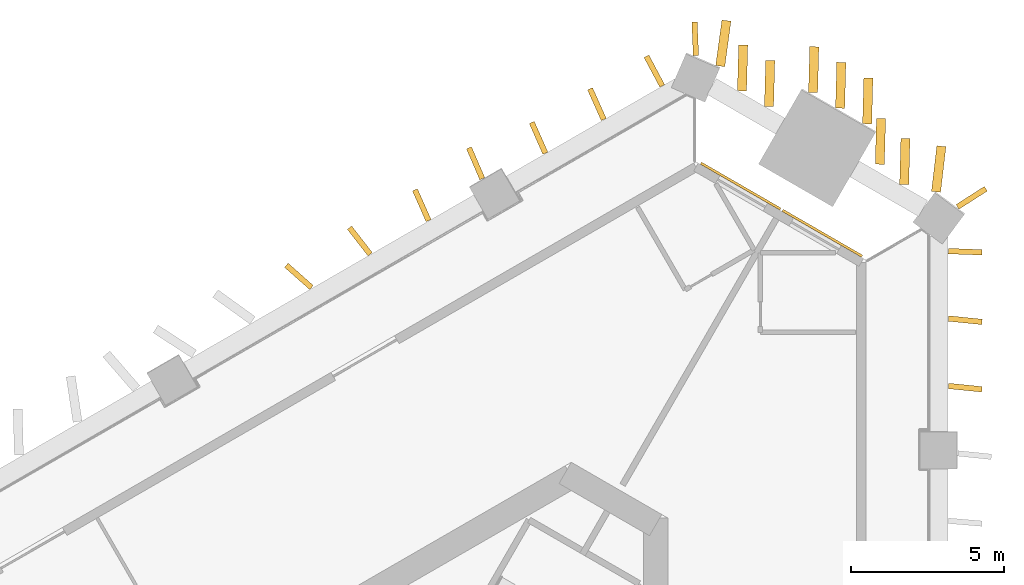
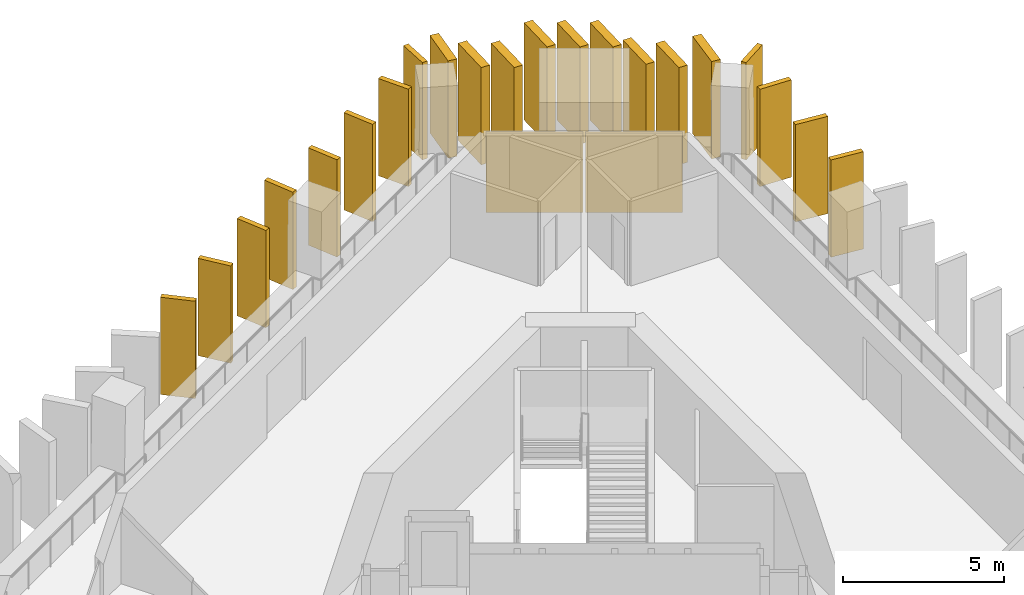
# One storey, part 10 of 10: 21 shading devices, 2 coverings.
"""IFC4 building model written with IfcOpenShell, lengths in metres."""

from ifc_helpers import new_model, si_unit, direction, frame, frame_2d, origin, origin_2d, place, context, subcontext, project, spatial, rectangle, extrude, material, layer, layer_set, type_object, element, save


model = new_model("IFC4")

# Units and contexts
model_context = context("Model", 3, precision=1e-05, world=origin(), true_north=direction((0.0, 1.0)))
body_context = subcontext(model_context, "Body", "Model", "MODEL_VIEW")
ifc_project = project(units=[si_unit("LENGTHUNIT", "METRE"), si_unit("AREAUNIT", "SQUARE_METRE"), si_unit("VOLUMEUNIT", "CUBIC_METRE"), si_unit("PLANEANGLEUNIT", "RADIAN"), si_unit("MASSUNIT", "GRAM", prefix="KILO")], contexts=[model_context])

# Site, building, storey
site_placement = place(None, origin())
site = spatial("IfcSite", under=ifc_project, at=site_placement, CompositionType="ELEMENT")
building_placement = place(site_placement, origin())
building = spatial("IfcBuilding", under=site, at=building_placement, Name="Jabali Bay Hotel Tower and Convention Centre", CompositionType="ELEMENT")
storey_placement = place(building_placement, frame((0.0, 0.0, 44.800048828125)))
storey = spatial("IfcBuildingStorey", under=building, at=storey_placement, Name="L09", CompositionType="ELEMENT", Elevation=44.800048828125)

# Shading devices
ifc_material_1 = material(Name="Precast concrete C60", Category="concrete")
ifc_layer_1 = layer(ifc_material_1, 0.179931640625)
ifc_layer_set_1 = layer_set([ifc_layer_1], Name="Precast concrete C60")
shading_device_type_1 = type_object("IfcShadingDeviceType", Name="Precast fin 3680 x 1100", PredefinedType="USERDEFINED", material=ifc_layer_set_1)
shading_device_1_placement = place(storey_placement, frame((99.052734375, 106.445556640625, 0.010009765625), z_axis=(0.0, 0.0, 1.0), x_axis=(0.994908900726, -0.100778367008, 0.0)))
element("IfcShadingDevice", 1, at=shading_device_1_placement, inside=storey, type_object=shading_device_type_1, Name="Fin L09 026", ObjectType="FIN", PredefinedType="USERDEFINED", context=body_context, shape_type="SweptSolid", body=[
    extrude(rectangle(XDim=1.099853515625, YDim=0.179931640625, at=frame_2d((0.5498046875, 0.0))), origin(), (0.0, 0.0, 1.0), 3.679931640625),
])
for number, where, z_axis, x_axis, name in (
    (2, (99.052734375, 108.6494140625, 0.010009765625), (0.0, 0.0, 1.0), (0.994955553407, -0.10031673213, 0.0), "Fin L09 027"),
    (3, (99.046875, 110.85302734375, 0.010009765625), (0.0, 0.0, 1.0), (0.999329348443, -0.036617664333, 0.0), "Fin L09 028"),
):
    element("IfcShadingDevice", number, at=place(storey_placement, frame(where, z_axis=z_axis, x_axis=x_axis)), inside=storey, type_object=shading_device_type_1, Name=name, ObjectType="FIN", PredefinedType="USERDEFINED", context=body_context, shape_type="SweptSolid", body=[
        extrude(rectangle(XDim=1.10009765625, YDim=0.179931640625, at=frame_2d((0.550048828125, 0.0))), origin(), (0.0, 0.0, 1.0), 3.679931640625),
    ])
shading_device_2_placement = place(storey_placement, frame((89.6962890625, 116.251708984375, 0.010009765625), z_axis=(0.0, 0.0, 1.0), x_axis=(-0.469885346658, 0.882727455672, 0.0)))
element("IfcShadingDevice", 4, at=shading_device_2_placement, inside=storey, type_object=shading_device_type_1, Name="Fin L09 038", ObjectType="FIN", PredefinedType="USERDEFINED", context=body_context, shape_type="SweptSolid", body=[
    extrude(rectangle(XDim=1.099853515625, YDim=0.179931640625, at=frame_2d((0.5498046875, 0.0))), origin(), (0.0, 0.0, 1.0), 3.679931640625),
])
for number, where, z_axis, x_axis, name in (
    (5, (87.78466796875, 115.155029296875, 0.010009765625), (0.0, 0.0, 1.0), (-0.408361193609, 0.912820428975, 0.0), "Fin L09 039"),
    (6, (85.8759765625, 114.053466796875, 0.010009765625), (0.0, 0.0, 1.0), (-0.404552415447, 0.914514812978, 0.0), "Fin L09 040"),
    (7, (83.813232421875, 113.21875, 0.010009765625), (0.0, 0.0, 1.0), (-0.394615629049, 0.918846290361, 0.0), "Fin L09 041"),
    (8, (82.058837890625, 111.849609375, 0.010009765625), (0.0, 0.0, 1.0), (-0.405273381202, 0.91419554062, 0.0), "Fin L09 042"),
    (9, (80.14892578125, 110.75, 0.010009765625), (0.0, 0.0, 1.0), (-0.613233558476, 0.789901641193, 0.0), "Fin L09 043"),
):
    element("IfcShadingDevice", number, at=place(storey_placement, frame(where, z_axis=z_axis, x_axis=x_axis)), inside=storey, type_object=shading_device_type_1, Name=name, ObjectType="FIN", PredefinedType="USERDEFINED", context=body_context, shape_type="SweptSolid", body=[
        extrude(rectangle(XDim=1.10009765625, YDim=0.179931640625, at=frame_2d((0.550048828125, 0.0))), origin(), (0.0, 0.0, 1.0), 3.679931640625),
    ])
shading_device_3_placement = place(storey_placement, frame((78.232177734375, 109.662353515625, 0.010009765625), z_axis=(0.0, 0.0, 1.0), x_axis=(-0.748962665712, 0.662612198325, 0.0)))
element("IfcShadingDevice", 10, at=shading_device_3_placement, inside=storey, type_object=shading_device_type_1, Name="Fin L09 044", ObjectType="FIN", PredefinedType="USERDEFINED", context=body_context, shape_type="SweptSolid", body=[
    extrude(rectangle(XDim=1.099853515625, YDim=0.179931640625, at=frame_2d((0.5498046875, 0.0))), origin(), (0.0, 0.0, 1.0), 3.679931640625),
])
shading_device_4_placement = place(storey_placement, frame((99.34716796875, 112.299072265625, 0.010009765625), z_axis=(0.0, 0.0, 1.0), x_axis=(0.842517194894, 0.538669449949, 0.0)))
element("IfcShadingDevice", 11, at=shading_device_4_placement, inside=storey, type_object=shading_device_type_1, Name="Fin L09 115", ObjectType="FIN", PredefinedType="USERDEFINED", context=body_context, shape_type="SweptSolid", body=[
    extrude(rectangle(XDim=1.10009765625, YDim=0.179931640625, at=frame_2d((0.550048828125, 0.0))), origin(), (0.0, 0.0, 1.0), 3.679931640625),
])
shading_device_5_placement = place(storey_placement, frame((90.79833984375, 117.24267578125, 0.010009765625), z_axis=(0.0, 0.0, 1.0), x_axis=(-0.043283104915, 0.999062847287, 0.0)))
element("IfcShadingDevice", 12, at=shading_device_5_placement, inside=storey, type_object=shading_device_type_1, Name="Fin L09 116", ObjectType="FIN", PredefinedType="USERDEFINED", context=body_context, shape_type="SweptSolid", body=[
    extrude(rectangle(XDim=1.099853515625, YDim=0.179931640625, at=frame_2d((0.5498046875, 0.0))), origin(), (0.0, 0.0, 1.0), 3.679931640625),
])
ifc_layer_2 = layer(ifc_material_1, 0.300048828125)
ifc_layer_set_2 = layer_set([ifc_layer_2], Name="Precast concrete C60")
shading_device_type_2 = type_object("IfcShadingDeviceType", Name="Precast fin 3680 x 1500", PredefinedType="USERDEFINED", material=ifc_layer_set_2)
for number, where, z_axis, x_axis, name in (
    (13, (98.645263671875, 112.7919921875, 0.010009765625), (0.0, 0.0, 1.0), (0.117020664719, 0.993129479992, 0.0), "Fin L09 029"),
    (14, (97.604736328125, 113.030517578125, 0.010009765625), (0.0, 0.0, 1.0), (0.026691886703, 0.99964370812, 0.0), "Fin L09 030"),
    (15, (96.808349609375, 113.691650390625, 0.010009765625), (0.0, 0.0, 1.0), (0.026529246195, 0.999648037609, 0.0), "Fin L09 031"),
    (16, (96.393798828125, 115.01416015625, 0.010009765625), (0.0, 0.0, 1.0), (0.026529246195, 0.999648037609, 0.0), "Fin L09 032"),
    (17, (95.510009765625, 115.5244140625, 0.010009765625), (0.0, 0.0, 1.0), (0.026691886703, 0.99964370812, 0.0), "Fin L09 033"),
    (18, (94.62646484375, 116.03466796875, 0.010009765625), (0.0, 0.0, 1.0), (0.026529246195, 0.999648037609, 0.0), "Fin L09 034"),
    (19, (93.1865234375, 115.58154296875, 0.010009765625), (0.0, 0.0, 1.0), (0.026691886703, 0.99964370812, 0.0), "Fin L09 035"),
):
    element("IfcShadingDevice", number, at=place(storey_placement, frame(where, z_axis=z_axis, x_axis=x_axis)), inside=storey, type_object=shading_device_type_2, Name=name, ObjectType="FIN", PredefinedType="USERDEFINED", context=body_context, shape_type="SweptSolid", body=[
        extrude(rectangle(XDim=1.5, YDim=0.300048828125, at=frame_2d((0.75, 0.0))), origin(), (0.0, 0.0, 1.0), 3.679931640625),
    ])
for number, where, z_axis, x_axis, name in (
    (20, (92.302978515625, 116.091796875, 0.010009765625), (0.0, 0.0, 1.0), (0.026533563174, 0.999647923034, 0.0), "Fin L09 036"),
    (21, (91.591796875, 116.90087890625, 0.010009765625), (0.0, 0.0, 1.0), (0.135265742469, 0.990809355484, 0.0), "Fin L09 037"),
):
    element("IfcShadingDevice", number, at=place(storey_placement, frame(where, z_axis=z_axis, x_axis=x_axis)), inside=storey, type_object=shading_device_type_2, Name=name, ObjectType="FIN", PredefinedType="USERDEFINED", context=body_context, shape_type="SweptSolid", body=[
        extrude(rectangle(XDim=1.499755859375, YDim=0.300048828125, at=frame_2d((0.75, 0.0))), origin(), (0.0, 0.0, 1.0), 3.679931640625),
    ])

# Coverings
ifc_material_2 = material(Name="Precast concrete C40/50", Category="concrete")
ifc_layer_3 = layer(ifc_material_2, 0.080078125)
ifc_layer_set_3 = layer_set([ifc_layer_3], Name="Precast concrete C40/50")
covering_type = type_object("IfcCoveringType", Name="Relief panel 3000 x 3000", PredefinedType="CLADDING", material=ifc_layer_set_3)
for number, where, z_axis, x_axis, name in (
    (22, (92.26123046875, 112.97705078125, 0.099853515625), (0.0, 0.0, 1.0), (0.866025425453, -0.499999962469, 0.0), "Relief panel L09"),
    (23, (94.92822265625, 111.437255859375, 0.099853515625), (0.0, 0.0, 1.0), (0.866025425453, -0.499999962469, 0.0), "Relief panel L09"),
):
    element("IfcCovering", number, at=place(storey_placement, frame(where, z_axis=z_axis, x_axis=x_axis)), inside=storey, type_object=covering_type, Name=name, PredefinedType="CLADDING", context=body_context, shape_type="SweptSolid", body=[
        extrude(rectangle(XDim=3.0, YDim=0.080078125, at=origin_2d()), origin(), (0.0, 0.0, 1.0), 3.0),
    ])

save(model, "model.ifc")
